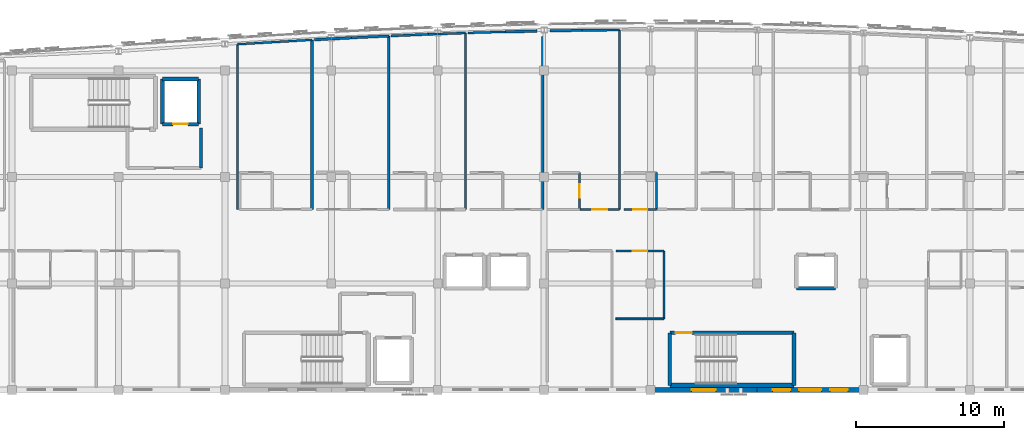
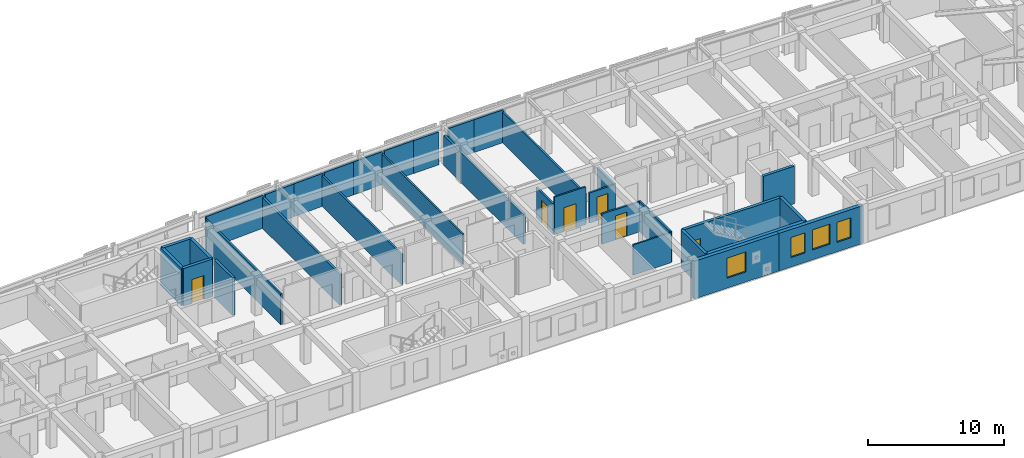
# One storey, part 34 of 41: 34 walls, 6 doors, 4 windows, 10 openings.
"""IFC4 building model written with IfcOpenShell, lengths in metres."""

from ifc_helpers import new_model, si_unit, direction, frame, frame_2d, origin, place, context, subcontext, project, spatial, rectangle, extrude, material, layer, layer_set, type_object, element, fill, save


model = new_model("IFC4")

# Units and contexts
model_context = context("Model", 3, precision=1e-05, world=origin(), true_north=direction((0.0, 1.0)))
body_context = subcontext(model_context, "Body", "Model", "MODEL_VIEW")
ifc_project = project(units=[si_unit("LENGTHUNIT", "METRE"), si_unit("AREAUNIT", "SQUARE_METRE"), si_unit("VOLUMEUNIT", "CUBIC_METRE"), si_unit("PLANEANGLEUNIT", "RADIAN"), si_unit("MASSUNIT", "GRAM", prefix="KILO")], contexts=[model_context])

# Site, building, storey
site_placement = place(None, origin())
site = spatial("IfcSite", under=ifc_project, at=site_placement, CompositionType="ELEMENT")
building_placement = place(site_placement, origin())
building = spatial("IfcBuilding", under=site, at=building_placement, Name="Carrowvane Square Congress Hotel", CompositionType="ELEMENT")
storey_placement = place(building_placement, frame((0.0, 0.0, 37.199951171875)))
storey = spatial("IfcBuildingStorey", under=building, at=storey_placement, Name="L09", CompositionType="ELEMENT", Elevation=37.199951171875)

# Wall, openings, windows
ifc_material_1 = material(Name="Glazed terracotta rainscreen", Category="masonry")
ifc_layer_1 = layer(ifc_material_1, 0.330078125)
ifc_layer_set_1 = layer_set([ifc_layer_1], Name="Glazed terracotta rainscreen")
wall_type_1 = type_object("IfcWallType", Name="WL-EXT-TC330", PredefinedType="STANDARD", material=ifc_layer_set_1)
wall_1_placement = place(storey_placement, frame((112.39990234375, 91.800048828125, 0.0), z_axis=(0.0, 0.0, 1.0), x_axis=(-1.0, 0.0, 0.0)))
wall_1 = element("IfcWall", 1, at=wall_1_placement, inside=storey, type_object=wall_type_1, Name="L09 exterior facade wall 569", PredefinedType="STANDARD", context=body_context, shape_type="SweptSolid", body=[
    extrude(rectangle(XDim=7.199951171875, YDim=0.330078125, at=frame_2d((3.60009765625, 0.0))), origin(), (0.0, 0.0, 1.0), 3.380126953125),
])
opening_1_placement = place(wall_1_placement, frame((2.85009765625, 0.0, 0.89990234375)))
opening_1 = element("IfcOpeningElement", 2, at=opening_1_placement, cuts=wall_1, Name="Opening W-03", PredefinedType="OPENING", context=body_context, shape_type="SweptSolid", body=[
    extrude(rectangle(XDim=1.5, YDim=1.800048828125, at=frame_2d((0.75, 0.89990234375))), frame((0.0, 0.175048828125, 0.0), z_axis=(0.0, -1.0, 0.0), x_axis=(1.0, 0.0, 0.0)), (0.0, 0.0, 1.0), 0.35009765625),
])
opening_2_placement = place(wall_1_placement, frame((1.050048828125, 0.0, 0.85009765625)))
opening_2 = element("IfcOpeningElement", 3, at=opening_2_placement, cuts=wall_1, Name="Opening W-01", PredefinedType="OPENING", context=body_context, shape_type="SweptSolid", body=[
    extrude(rectangle(XDim=1.199951171875, YDim=1.800048828125, at=frame_2d((0.60009765625, 0.89990234375))), frame((0.0, 0.175048828125, 0.0), z_axis=(0.0, -1.0, 0.0), x_axis=(1.0, 0.0, 0.0)), (0.0, 0.0, 1.0), 0.35009765625),
])
opening_3_placement = place(wall_1_placement, frame((4.949951171875, 0.0, 0.85009765625)))
opening_3 = element("IfcOpeningElement", 4, at=opening_3_placement, cuts=wall_1, Name="Opening W-01", PredefinedType="OPENING", context=body_context, shape_type="SweptSolid", body=[
    extrude(rectangle(XDim=1.199951171875, YDim=1.800048828125, at=frame_2d((0.60009765625, 0.89990234375))), frame((0.0, 0.175048828125, 0.0), z_axis=(0.0, -1.0, 0.0), x_axis=(1.0, 0.0, 0.0)), (0.0, 0.0, 1.0), 0.35009765625),
])
ifc_material_2 = material(Name="Double-glazed low-E glass", Category="glass")
window_type_1 = type_object("IfcWindowType", Name="WIN-01", PartitioningType="SINGLE_PANEL", PredefinedType="WINDOW", material=ifc_material_2)
window_1_placement = place(opening_2_placement, origin())
window_1 = element("IfcWindow", 5, at=window_1_placement, inside=storey, type_object=window_type_1, Name="L09 guest bedroom window 424", OverallHeight=1.800048828125, OverallWidth=1.199951171875, PartitioningType="SINGLE_PANEL", PredefinedType="WINDOW", context=body_context, shape_type="SweptSolid", body=[
    extrude(rectangle(XDim=1.199951171875, YDim=1.800048828125, at=frame_2d((0.60009765625, 0.89990234375))), frame((0.0, 0.030029296875, 0.0), z_axis=(0.0, -1.0, 0.0), x_axis=(1.0, 0.0, 0.0)), (0.0, 0.0, 1.0), 0.06005859375),
])
fill(opening_2, window_1)
window_2_placement = place(opening_3_placement, origin())
window_2 = element("IfcWindow", 6, at=window_2_placement, inside=storey, type_object=window_type_1, Name="L09 guest bedroom window 425", OverallHeight=1.800048828125, OverallWidth=1.199951171875, PartitioningType="SINGLE_PANEL", PredefinedType="WINDOW", context=body_context, shape_type="SweptSolid", body=[
    extrude(rectangle(XDim=1.199951171875, YDim=1.800048828125, at=frame_2d((0.60009765625, 0.89990234375))), frame((0.0, 0.030029296875, 0.0), z_axis=(0.0, -1.0, 0.0), x_axis=(1.0, 0.0, 0.0)), (0.0, 0.0, 1.0), 0.06005859375),
])
fill(opening_3, window_2)
ifc_material_3 = material(Name="Double-glazed low-E glass", Category="glass")
window_type_2 = type_object("IfcWindowType", Name="WIN-03", PartitioningType="SINGLE_PANEL", PredefinedType="WINDOW", material=ifc_material_3)
window_3_placement = place(opening_1_placement, origin())
window_3 = element("IfcWindow", 7, at=window_3_placement, inside=storey, type_object=window_type_2, Name="L09 facade window 423", OverallHeight=1.800048828125, OverallWidth=1.5, PartitioningType="SINGLE_PANEL", PredefinedType="WINDOW", context=body_context, shape_type="SweptSolid", body=[
    extrude(rectangle(XDim=1.5, YDim=1.800048828125, at=frame_2d((0.75, 0.89990234375))), frame((0.0, 0.030029296875, 0.0), z_axis=(0.0, -1.0, 0.0), x_axis=(1.0, 0.0, 0.0)), (0.0, 0.0, 1.0), 0.06005859375),
])
fill(opening_1, window_3)

# Wall, opening, window
wall_2_placement = place(storey_placement, frame((105.199951171875, 91.800048828125, 0.0), z_axis=(0.0, 0.0, 1.0), x_axis=(-1.0, 0.0, 0.0)))
wall_2 = element("IfcWall", 8, at=wall_2_placement, inside=storey, type_object=wall_type_1, Name="L09 exterior facade wall 570", PredefinedType="STANDARD", context=body_context, shape_type="SweptSolid", body=[
    extrude(rectangle(XDim=7.199951171875, YDim=0.330078125, at=frame_2d((3.60009765625, 0.0))), origin(), (0.0, 0.0, 1.0), 3.380126953125),
])
opening_4_placement = place(wall_2_placement, frame((2.77490234375, 0.0, 0.89990234375)))
opening_4 = element("IfcOpeningElement", 9, at=opening_4_placement, cuts=wall_2, Name="Opening W-04", PredefinedType="OPENING", context=body_context, shape_type="SweptSolid", body=[
    extrude(rectangle(XDim=1.64990234375, YDim=1.800048828125, at=frame_2d((0.824951171875, 0.89990234375))), frame((0.0, 0.175048828125, 0.0), z_axis=(0.0, -1.0, 0.0), x_axis=(1.0, 0.0, 0.0)), (0.0, 0.0, 1.0), 0.35009765625),
])
ifc_material_4 = material(Name="Double-glazed low-E glass", Category="glass")
window_type_3 = type_object("IfcWindowType", Name="WIN-04", PartitioningType="SINGLE_PANEL", PredefinedType="WINDOW", material=ifc_material_4)
window_4_placement = place(opening_4_placement, origin())
window_4 = element("IfcWindow", 10, at=window_4_placement, inside=storey, type_object=window_type_3, Name="L09 facade window 426", OverallHeight=1.800048828125, OverallWidth=1.64990234375, PartitioningType="SINGLE_PANEL", PredefinedType="WINDOW", context=body_context, shape_type="SweptSolid", body=[
    extrude(rectangle(XDim=1.64990234375, YDim=1.800048828125, at=frame_2d((0.824951171875, 0.89990234375))), frame((0.0, 0.030029296875, 0.0), z_axis=(0.0, -1.0, 0.0), x_axis=(1.0, 0.0, 0.0)), (0.0, 0.0, 1.0), 0.06005859375),
])
fill(opening_4, window_4)

# Walls
ifc_material_5 = material(Name="Acoustic gypsum board", Category="gypsum")
ifc_layer_2 = layer(ifc_material_5, 0.155029296875)
ifc_layer_set_2 = layer_set([ifc_layer_2], Name="Acoustic gypsum board")
wall_type_2 = type_object("IfcWallType", Name="WL-FIR-155", PredefinedType="PARTITIONING", material=ifc_layer_set_2)
wall_3_placement = place(storey_placement, frame((80.2900390625, 115.736328125, 0.0), z_axis=(0.0, 0.0, 1.0), x_axis=(0.0, -1.0, 0.0)))
element("IfcWall", 11, at=wall_3_placement, inside=storey, type_object=wall_type_2, Name="L09 Parkview Guest Bedroom 0912 partition", PredefinedType="PARTITIONING", context=body_context, shape_type="SweptSolid", body=[
    extrude(rectangle(XDim=11.736328125, YDim=0.155029296875, at=frame_2d((5.8681640625, 0.0))), origin(), (0.0, 0.0, 1.0), 2.76513671875),
])
wall_4_placement = place(storey_placement, frame((80.449951171875, 115.743408203125, 0.0), z_axis=(0.0, 0.0, 1.0), x_axis=(0.9991293785, 0.041719120532, 0.0)))
element("IfcWall", 12, at=wall_4_placement, inside=storey, type_object=wall_type_2, Name="L09 Parkview Guest Bedroom 0913 partition", PredefinedType="PARTITIONING", context=body_context, shape_type="SweptSolid", body=[
    extrude(rectangle(XDim=2.522216796875, YDim=0.155029296875, at=frame_2d((1.26123046875, 0.0))), origin(), (0.0, 0.0, 1.0), 2.95556640625),
])
wall_5_placement = place(storey_placement, frame((93.3701171875, 116.120361328125, 0.0), z_axis=(0.0, 0.0, 1.0), x_axis=(0.999959405621, 0.009010388986, 0.0)))
element("IfcWall", 13, at=wall_5_placement, inside=storey, type_object=wall_type_2, Name="L09 Parkview Guest Bedroom 0915 partition", PredefinedType="PARTITIONING", context=body_context, shape_type="SweptSolid", body=[
    extrude(rectangle(XDim=2.519775390625, YDim=0.155029296875, at=frame_2d((1.259765625, 0.0))), origin(), (0.0, 0.0, 1.0), 2.95556640625),
])
wall_6_placement = place(storey_placement, frame((98.39990234375, 106.5, 0.0), z_axis=(0.0, 0.0, 1.0), x_axis=(0.0, -1.0, 0.0)))
element("IfcWall", 14, at=wall_6_placement, inside=storey, type_object=wall_type_2, Name="L09 En-suite Bathroom 0916 partition", PredefinedType="PARTITIONING", context=body_context, shape_type="SweptSolid", body=[
    extrude(rectangle(XDim=2.5, YDim=0.155029296875, at=frame_2d((1.25, 0.0))), origin(), (0.0, 0.0, 1.0), 2.76513671875),
])
ifc_material_6 = material(Name="Acoustic gypsum board", Category="gypsum")
ifc_layer_3 = layer(ifc_material_6, 0.169921875)
ifc_layer_set_3 = layer_set([ifc_layer_3], Name="Acoustic gypsum board")
wall_type_3 = type_object("IfcWallType", Name="WL-FIR-170", PredefinedType="PARTITIONING", material=ifc_layer_set_3)
wall_7_placement = place(storey_placement, frame((77.77001953125, 115.61669921875, 0.0), z_axis=(0.0, 0.0, 1.0), x_axis=(0.998875132968, 0.047418021232, 0.0)))
element("IfcWall", 15, at=wall_7_placement, inside=storey, type_object=wall_type_3, Name="L09 Parkview Guest Bedroom 0912 partition", PredefinedType="PARTITIONING", context=body_context, shape_type="SweptSolid", body=[
    extrude(rectangle(XDim=2.52294921875, YDim=0.169921875, at=frame_2d((1.261474609375, 0.0))), origin(), (0.0, 0.0, 1.0), 2.95556640625),
])
wall_8_placement = place(storey_placement, frame((90.68994140625, 115.71728515625, 0.0), z_axis=(0.0, 0.0, 1.0), x_axis=(0.0, -1.0, 0.0)))
element("IfcWall", 16, at=wall_8_placement, inside=storey, type_object=wall_type_3, Name="L09 Parkview Guest Bedroom 0914 partition", PredefinedType="PARTITIONING", context=body_context, shape_type="SweptSolid", body=[
    extrude(rectangle(XDim=11.71728515625, YDim=0.169921875, at=frame_2d((5.858642578125, 0.0))), origin(), (0.0, 0.0, 1.0), 2.715087890625),
])
wall_9_placement = place(storey_placement, frame((91.2099609375, 116.086181640625, 0.0), z_axis=(0.0, 0.0, 1.0), x_axis=(0.999874843241, 0.015820804482, 0.0)))
element("IfcWall", 17, at=wall_9_placement, inside=storey, type_object=wall_type_3, Name="L09 Parkview Guest Bedroom 0915 partition", PredefinedType="PARTITIONING", context=body_context, shape_type="SweptSolid", body=[
    extrude(rectangle(XDim=2.160400390625, YDim=0.169921875, at=frame_2d((1.080078125, 0.0))), origin(), (0.0, 0.0, 1.0), 2.95556640625),
])
ifc_material_7 = material(Name="Acoustic gypsum board", Category="gypsum")
ifc_layer_4 = layer(ifc_material_7, 0.18505859375)
ifc_layer_set_4 = layer_set([ifc_layer_4], Name="Acoustic gypsum board")
wall_type_4 = type_object("IfcWallType", Name="WL-FIR-185", PredefinedType="PARTITIONING", material=ifc_layer_set_4)
wall_10_placement = place(storey_placement, frame((75.090087890625, 115.4755859375, 0.0), z_axis=(0.0, 0.0, 1.0), x_axis=(0.0, -1.0, 0.0)))
element("IfcWall", 18, at=wall_10_placement, inside=storey, type_object=wall_type_4, Name="L09 Parkview Guest Bedroom 0911 partition", PredefinedType="PARTITIONING", context=body_context, shape_type="SweptSolid", body=[
    extrude(rectangle(XDim=11.4755859375, YDim=0.18505859375, at=frame_2d((5.73779296875, 0.0))), origin(), (0.0, 0.0, 1.0), 2.76513671875),
])
wall_11_placement = place(storey_placement, frame((75.25, 115.484375, 0.0), z_axis=(0.0, 0.0, 1.0), x_axis=(0.998624236073, 0.052436963374, 0.0)))
element("IfcWall", 19, at=wall_11_placement, inside=storey, type_object=wall_type_4, Name="L09 Parkview Guest Bedroom 0912 partition", PredefinedType="PARTITIONING", context=body_context, shape_type="SweptSolid", body=[
    extrude(rectangle(XDim=2.5234375, YDim=0.18505859375, at=frame_2d((1.26171875, 0.0))), origin(), (0.0, 0.0, 1.0), 2.95556640625),
])
wall_12_placement = place(storey_placement, frame((88.169921875, 116.01904296875, 0.0), z_axis=(0.0, 0.0, 1.0), x_axis=(0.999734315018, 0.023049932218, 0.0)))
element("IfcWall", 20, at=wall_12_placement, inside=storey, type_object=wall_type_4, Name="L09 Parkview Guest Bedroom 0914 partition", PredefinedType="PARTITIONING", context=body_context, shape_type="SweptSolid", body=[
    extrude(rectangle(XDim=2.16064453125, YDim=0.18505859375, at=frame_2d((1.080322265625, 0.0))), origin(), (0.0, 0.0, 1.0), 2.95556640625),
])
ifc_material_8 = material(Name="Acoustic gypsum board", Category="gypsum")
ifc_layer_5 = layer(ifc_material_8, 0.205078125)
ifc_layer_set_5 = layer_set([ifc_layer_5], Name="Acoustic gypsum board")
wall_type_5 = type_object("IfcWallType", Name="WL-FIR-205", PredefinedType="PARTITIONING", material=ifc_layer_set_5)
wall_13_placement = place(storey_placement, frame((67.60009765625, 106.800048828125, 0.0), z_axis=(0.0, 0.0, 1.0), x_axis=(0.0, 1.0, 0.0)))
element("IfcWall", 21, at=wall_13_placement, inside=storey, type_object=wall_type_5, Name="L09 Firefighting Lobby C1 wall east", PredefinedType="PARTITIONING", context=body_context, shape_type="SweptSolid", body=[
    extrude(rectangle(XDim=2.699951171875, YDim=0.205078125, at=frame_2d((1.35009765625, 0.0))), origin(), (0.0, 0.0, 1.0), 3.380126953125),
])
ifc_material_9 = material(Name="Acoustic gypsum board", Category="gypsum")
ifc_layer_6 = layer(ifc_material_9, 0.1279296875)
ifc_layer_set_6 = layer_set([ifc_layer_6], Name="Acoustic gypsum board")
wall_type_6 = type_object("IfcWallType", Name="WL-PRT-128", PredefinedType="PARTITIONING", material=ifc_layer_set_6)
wall_14_placement = place(storey_placement, frame((98.89990234375, 96.60009765625, 0.0), z_axis=(0.0, 0.0, 1.0), x_axis=(-1.0, 0.0, 0.0)))
element("IfcWall", 22, at=wall_14_placement, inside=storey, type_object=wall_type_6, Name="L09 L09 Accessible Guest WC partition", PredefinedType="PARTITIONING", context=body_context, shape_type="SweptSolid", body=[
    extrude(rectangle(XDim=3.25, YDim=0.1279296875, at=frame_2d((1.625, 0.0))), origin(), (0.0, 0.0, 1.0), 2.715087890625),
])
ifc_material_10 = material(Name="Acoustic gypsum board", Category="gypsum")
ifc_layer_7 = layer(ifc_material_10, 0.137939453125)
ifc_layer_set_7 = layer_set([ifc_layer_7], Name="Acoustic gypsum board")
wall_type_7 = type_object("IfcWallType", Name="WL-PRT-138", PredefinedType="PARTITIONING", material=ifc_layer_set_7)
wall_15_placement = place(storey_placement, frame((98.89990234375, 101.199951171875, 0.0), z_axis=(0.0, 0.0, 1.0), x_axis=(0.0, -1.0, 0.0)))
element("IfcWall", 23, at=wall_15_placement, inside=storey, type_object=wall_type_7, Name="L09 L09 Accessible Guest WC partition", PredefinedType="PARTITIONING", context=body_context, shape_type="SweptSolid", body=[
    extrude(rectangle(XDim=4.599853515625, YDim=0.137939453125, at=frame_2d((2.2998046875, 0.0))), origin(), (0.0, 0.0, 1.0), 2.76513671875),
])
wall_16_placement = place(storey_placement, frame((70.050048828125, 115.177490234375, 0.0), z_axis=(0.0, 0.0, 1.0), x_axis=(0.998255479729, 0.059042333886, 0.0)))
element("IfcWall", 24, at=wall_16_placement, inside=storey, type_object=wall_type_7, Name="L09 Parkview Guest Bedroom 0911 partition", PredefinedType="PARTITIONING", context=body_context, shape_type="SweptSolid", body=[
    extrude(rectangle(XDim=5.048828125, YDim=0.137939453125, at=frame_2d((2.5244140625, 0.0))), origin(), (0.0, 0.0, 1.0), 2.95556640625),
])
wall_17_placement = place(storey_placement, frame((85.489990234375, 115.939208984375, 0.0), z_axis=(0.0, 0.0, 1.0), x_axis=(0.0, -1.0, 0.0)))
element("IfcWall", 25, at=wall_17_placement, inside=storey, type_object=wall_type_7, Name="L09 Parkview Guest Bedroom 0913 partition", PredefinedType="PARTITIONING", context=body_context, shape_type="SweptSolid", body=[
    extrude(rectangle(XDim=11.939208984375, YDim=0.137939453125, at=frame_2d((5.9697265625, 0.0))), origin(), (0.0, 0.0, 1.0), 2.76513671875),
])
wall_18_placement = place(storey_placement, frame((85.64990234375, 115.94482421875, 0.0), z_axis=(0.0, 0.0, 1.0), x_axis=(0.9995665819, 0.029438891775, 0.0)))
element("IfcWall", 26, at=wall_18_placement, inside=storey, type_object=wall_type_7, Name="L09 Parkview Guest Bedroom 0914 partition", PredefinedType="PARTITIONING", context=body_context, shape_type="SweptSolid", body=[
    extrude(rectangle(XDim=2.52099609375, YDim=0.137939453125, at=frame_2d((1.260498046875, 0.0))), origin(), (0.0, 0.0, 1.0), 2.95556640625),
])

# Wall, opening, door
wall_19_placement = place(storey_placement, frame((93.199951171875, 106.5, 0.0), z_axis=(0.0, 0.0, 1.0), x_axis=(0.0, -1.0, 0.0)))
wall_19 = element("IfcWall", 27, at=wall_19_placement, inside=storey, type_object=wall_type_7, Name="L09 En-suite Bathroom 0915 partition", PredefinedType="PARTITIONING", context=body_context, shape_type="SweptSolid", body=[
    extrude(rectangle(XDim=2.5, YDim=0.137939453125, at=frame_2d((1.25, 0.0))), origin(), (0.0, 0.0, 1.0), 2.76513671875),
])
opening_5_placement = place(wall_19_placement, frame((0.800048828125, 0.0, 0.0)))
opening_5 = element("IfcOpeningElement", 28, at=opening_5_placement, cuts=wall_19, Name="Opening ID-02", PredefinedType="OPENING", context=body_context, shape_type="SweptSolid", body=[
    extrude(rectangle(XDim=0.89990234375, YDim=2.080078125, at=frame_2d((0.449951171875, 1.0400390625))), frame((0.0, 0.078857421875, 0.0), z_axis=(0.0, -1.0, 0.0), x_axis=(1.0, 0.0, 0.0)), (0.0, 0.0, 1.0), 0.157958984375),
])
ifc_material_11 = material(Name="European oak timber", Category="wood")
door_type_1 = type_object("IfcDoorType", Name="DR-INT-0900x2080", OperationType="NOTDEFINED", PredefinedType="DOOR", material=ifc_material_11)
door_1_placement = place(opening_5_placement, origin())
door_1 = element("IfcDoor", 29, at=door_1_placement, inside=storey, type_object=door_type_1, Name="L09 En-suite Bathroom 0915 door", OperationType="SINGLE_SWING_LEFT", OverallHeight=2.080078125, OverallWidth=0.89990234375, PredefinedType="DOOR", context=body_context, shape_type="SweptSolid", body=[
    extrude(rectangle(XDim=0.89990234375, YDim=2.080078125, at=frame_2d((0.449951171875, 1.0400390625))), frame((0.0, 0.02490234375, 0.0), z_axis=(0.0, -1.0, 0.0), x_axis=(1.0, 0.0, 0.0)), (0.0, 0.0, 1.0), 0.050048828125),
])
fill(opening_5, door_1)

wall_20_placement = place(storey_placement, frame((95.889892578125, 104.0, 0.0), z_axis=(0.0, 0.0, 1.0), x_axis=(-1.0, 0.0, 0.0)))
wall_20 = element("IfcWall", 30, at=wall_20_placement, inside=storey, type_object=wall_type_7, Name="L09 Parkview Guest Bedroom 0915 partition", PredefinedType="PARTITIONING", context=body_context, shape_type="SweptSolid", body=[
    extrude(rectangle(XDim=2.679931640625, YDim=0.137939453125, at=frame_2d((1.33984375, 0.0))), origin(), (0.0, 0.0, 1.0), 3.380126953125),
])
opening_6_placement = place(wall_20_placement, frame((0.830078125, 0.0, 0.0)))
opening_6 = element("IfcOpeningElement", 31, at=opening_6_placement, cuts=wall_20, Name="Opening FD-08", PredefinedType="OPENING", context=body_context, shape_type="SweptSolid", body=[
    extrude(rectangle(XDim=1.02001953125, YDim=2.14990234375, at=frame_2d((0.510009765625, 1.074951171875))), frame((0.0, 0.078857421875, 0.0), z_axis=(0.0, -1.0, 0.0), x_axis=(1.0, 0.0, 0.0)), (0.0, 0.0, 1.0), 0.157958984375),
])
ifc_material_12 = material(Name="European oak timber", Category="wood")
door_type_2 = type_object("IfcDoorType", Name="DR-FD30-1020x2150", OperationType="NOTDEFINED", PredefinedType="DOOR", material=ifc_material_12)
door_2_placement = place(opening_6_placement, origin())
door_2 = element("IfcDoor", 32, at=door_2_placement, inside=storey, type_object=door_type_2, Name="L09 Parkview Guest Bedroom 0915 entrance door", OperationType="SINGLE_SWING_RIGHT", OverallHeight=2.14990234375, OverallWidth=1.02001953125, PredefinedType="DOOR", context=body_context, shape_type="SweptSolid", body=[
    extrude(rectangle(XDim=1.02001953125, YDim=2.14990234375, at=frame_2d((0.510009765625, 1.074951171875))), frame((0.0, 0.02490234375, 0.0), z_axis=(0.0, -1.0, 0.0), x_axis=(1.0, 0.0, 0.0)), (0.0, 0.0, 1.0), 0.050048828125),
])
fill(opening_6, door_2)

ifc_material_13 = material(Name="Acoustic gypsum board", Category="gypsum")
ifc_layer_8 = layer(ifc_material_13, 0.14794921875)
ifc_layer_set_8 = layer_set([ifc_layer_8], Name="Acoustic gypsum board")
wall_type_8 = type_object("IfcWallType", Name="WL-PRT-148", PredefinedType="PARTITIONING", material=ifc_layer_set_8)
wall_21_placement = place(storey_placement, frame((95.64990234375, 101.199951171875, 0.0), z_axis=(0.0, 0.0, 1.0), x_axis=(1.0, 0.0, 0.0)))
wall_21 = element("IfcWall", 33, at=wall_21_placement, inside=storey, type_object=wall_type_8, Name="L09 L09 Accessible Guest WC partition", PredefinedType="PARTITIONING", context=body_context, shape_type="SweptSolid", body=[
    extrude(rectangle(XDim=3.25, YDim=0.14794921875, at=frame_2d((1.625, 0.0))), origin(), (0.0, 0.0, 1.0), 2.715087890625),
])
opening_7_placement = place(wall_21_placement, frame((1.139892578125, 0.0, 0.0)))
opening_7 = element("IfcOpeningElement", 34, at=opening_7_placement, cuts=wall_21, Name="Opening ID-19", PredefinedType="OPENING", context=body_context, shape_type="SweptSolid", body=[
    extrude(rectangle(XDim=0.969970703125, YDim=2.159912109375, at=frame_2d((0.48486328125, 1.080078125))), frame((0.0, 0.083984375, 0.0), z_axis=(0.0, -1.0, 0.0), x_axis=(1.0, 0.0, 0.0)), (0.0, 0.0, 1.0), 0.16796875),
])
ifc_material_14 = material(Name="European oak timber", Category="wood")
door_type_3 = type_object("IfcDoorType", Name="DR-INT-0970x2160", OperationType="NOTDEFINED", PredefinedType="DOOR", material=ifc_material_14)
door_3_placement = place(opening_7_placement, origin())
door_3 = element("IfcDoor", 35, at=door_3_placement, inside=storey, type_object=door_type_3, Name="L09 L09 Accessible Guest WC entrance door", OperationType="SINGLE_SWING_RIGHT", OverallHeight=2.159912109375, OverallWidth=0.969970703125, PredefinedType="DOOR", context=body_context, shape_type="SweptSolid", body=[
    extrude(rectangle(XDim=0.969970703125, YDim=2.159912109375, at=frame_2d((0.48486328125, 1.080078125))), frame((0.0, 0.02490234375, 0.0), z_axis=(0.0, -1.0, 0.0), x_axis=(1.0, 0.0, 0.0)), (0.0, 0.0, 1.0), 0.050048828125),
])
fill(opening_7, door_3)

# Walls
wall_22_placement = place(storey_placement, frame((70.050048828125, 104.0, 0.0), z_axis=(0.0, 0.0, 1.0), x_axis=(0.0, 1.0, 0.0)))
element("IfcWall", 36, at=wall_22_placement, inside=storey, type_object=wall_type_8, Name="L09 Parkview Guest Bedroom 0911 partition", PredefinedType="PARTITIONING", context=body_context, shape_type="SweptSolid", body=[
    extrude(rectangle(XDim=11.177490234375, YDim=0.14794921875, at=frame_2d((5.5888671875, 0.0))), origin(), (0.0, 0.0, 1.0), 2.76513671875),
])
wall_23_placement = place(storey_placement, frame((82.969970703125, 115.8486328125, 0.0), z_axis=(0.0, 0.0, 1.0), x_axis=(0.99935468825, 0.035919452562, 0.0)))
element("IfcWall", 37, at=wall_23_placement, inside=storey, type_object=wall_type_8, Name="L09 Parkview Guest Bedroom 0913 partition", PredefinedType="PARTITIONING", context=body_context, shape_type="SweptSolid", body=[
    extrude(rectangle(XDim=2.521728515625, YDim=0.14794921875, at=frame_2d((1.2607421875, 0.0))), origin(), (0.0, 0.0, 1.0), 2.95556640625),
])
wall_24_placement = place(storey_placement, frame((95.889892578125, 116.14306640625, 0.0), z_axis=(0.0, 0.0, 1.0), x_axis=(0.0, -1.0, 0.0)))
element("IfcWall", 38, at=wall_24_placement, inside=storey, type_object=wall_type_8, Name="L09 Parkview Guest Bedroom 0915 partition", PredefinedType="PARTITIONING", context=body_context, shape_type="SweptSolid", body=[
    extrude(rectangle(XDim=12.14306640625, YDim=0.14794921875, at=frame_2d((6.071533203125, 0.0))), origin(), (0.0, 0.0, 1.0), 2.76513671875),
])

# Wall, opening, door
wall_25_placement = place(storey_placement, frame((98.39990234375, 104.0, 0.0), z_axis=(0.0, 0.0, 1.0), x_axis=(-1.0, 0.0, 0.0)))
wall_25 = element("IfcWall", 39, at=wall_25_placement, inside=storey, type_object=wall_type_8, Name="L09 En-suite Bathroom 0916 partition", PredefinedType="PARTITIONING", context=body_context, shape_type="SweptSolid", body=[
    extrude(rectangle(XDim=2.199951171875, YDim=0.14794921875, at=frame_2d((1.10009765625, 0.0))), origin(), (0.0, 0.0, 1.0), 2.715087890625),
])
opening_8_placement = place(wall_25_placement, frame((0.6298828125, 0.0, 0.0)))
opening_8 = element("IfcOpeningElement", 40, at=opening_8_placement, cuts=wall_25, Name="Opening ID-04", PredefinedType="OPENING", context=body_context, shape_type="SweptSolid", body=[
    extrude(rectangle(XDim=0.93994140625, YDim=2.1201171875, at=frame_2d((0.469970703125, 1.06005859375))), frame((0.0, 0.083984375, 0.0), z_axis=(0.0, -1.0, 0.0), x_axis=(1.0, 0.0, 0.0)), (0.0, 0.0, 1.0), 0.16796875),
])
ifc_material_15 = material(Name="European oak timber", Category="wood")
door_type_4 = type_object("IfcDoorType", Name="DR-INT-0940x2120", OperationType="NOTDEFINED", PredefinedType="DOOR", material=ifc_material_15)
door_4_placement = place(opening_8_placement, origin())
door_4 = element("IfcDoor", 41, at=door_4_placement, inside=storey, type_object=door_type_4, Name="L09 En-suite Bathroom 0916 door", OperationType="SINGLE_SWING_LEFT", OverallHeight=2.1201171875, OverallWidth=0.93994140625, PredefinedType="DOOR", context=body_context, shape_type="SweptSolid", body=[
    extrude(rectangle(XDim=0.93994140625, YDim=2.1201171875, at=frame_2d((0.469970703125, 1.06005859375))), frame((0.0, 0.02490234375, 0.0), z_axis=(0.0, -1.0, 0.0), x_axis=(1.0, 0.0, 0.0)), (0.0, 0.0, 1.0), 0.050048828125),
])
fill(opening_8, door_4)

# Wall
ifc_material_16 = material(Name="Concrete C40/50", Category="concrete")
ifc_layer_9 = layer(ifc_material_16, 0.22509765625)
ifc_layer_set_9 = layer_set([ifc_layer_9], Name="Concrete C40/50")
wall_type_9 = type_object("IfcWallType", Name="WL-SHR-225", PredefinedType="SHEAR", material=ifc_layer_set_9)
wall_26_placement = place(storey_placement, frame((99.300048828125, 95.659912109375, 0.0), z_axis=(0.0, 0.0, 1.0), x_axis=(0.0, -1.0, 0.0)))
element("IfcWall", 42, at=wall_26_placement, inside=storey, type_object=wall_type_9, Name="L09 ST3 core wall west", PredefinedType="SHEAR", context=body_context, shape_type="SweptSolid", body=[
    extrude(rectangle(XDim=3.559814453125, YDim=0.22509765625, at=frame_2d((1.77978515625, 0.0))), origin(), (0.0, 0.0, 1.0), 3.380126953125),
])

# Wall, opening, door
ifc_material_17 = material(Name="Concrete C40/50", Category="concrete")
ifc_layer_10 = layer(ifc_material_17, 0.25)
ifc_layer_set_10 = layer_set([ifc_layer_10], Name="Concrete C40/50")
wall_type_10 = type_object("IfcWallType", Name="WL-SHR-250", PredefinedType="SHEAR", material=ifc_layer_set_10)
wall_27_placement = place(storey_placement, frame((107.699951171875, 95.659912109375, 0.0), z_axis=(0.0, 0.0, 1.0), x_axis=(-1.0, 0.0, 0.0)))
wall_27 = element("IfcWall", 43, at=wall_27_placement, inside=storey, type_object=wall_type_10, Name="L09 ST3 core wall north", PredefinedType="SHEAR", context=body_context, shape_type="SweptSolid", body=[
    extrude(rectangle(XDim=8.39990234375, YDim=0.25, at=frame_2d((4.199951171875, 0.0))), origin(), (0.0, 0.0, 1.0), 3.380126953125),
])
opening_9_placement = place(wall_27_placement, frame((6.909912109375, 0.0, 0.0)))
opening_9 = element("IfcOpeningElement", 44, at=opening_9_placement, cuts=wall_27, Name="Opening FD-01", PredefinedType="OPENING", context=body_context, shape_type="SweptSolid", body=[
    extrude(rectangle(XDim=1.10009765625, YDim=2.10009765625, at=frame_2d((0.550048828125, 1.050048828125))), frame((0.0, 0.135009765625, 0.0), z_axis=(0.0, -1.0, 0.0), x_axis=(1.0, 0.0, 0.0)), (0.0, 0.0, 1.0), 0.27001953125),
])
ifc_material_18 = material(Name="European oak timber", Category="wood")
door_type_5 = type_object("IfcDoorType", Name="DR-FD60-1100x2100", OperationType="NOTDEFINED", PredefinedType="DOOR", material=ifc_material_18)
door_5_placement = place(opening_9_placement, origin())
door_5 = element("IfcDoor", 45, at=door_5_placement, inside=storey, type_object=door_type_5, Name="L09 ST3 fire door", OperationType="SINGLE_SWING_LEFT", OverallHeight=2.10009765625, OverallWidth=1.10009765625, PredefinedType="DOOR", context=body_context, shape_type="SweptSolid", body=[
    extrude(rectangle(XDim=1.10009765625, YDim=2.10009765625, at=frame_2d((0.550048828125, 1.050048828125))), frame((0.0, 0.02490234375, 0.0), z_axis=(0.0, -1.0, 0.0), x_axis=(1.0, 0.0, 0.0)), (0.0, 0.0, 1.0), 0.050048828125),
])
fill(opening_9, door_5)

wall_28_placement = place(storey_placement, frame((64.97509765625, 109.77490234375, 0.0), z_axis=(0.0, 0.0, 1.0), x_axis=(1.0, 0.0, 0.0)))
wall_28 = element("IfcWall", 46, at=wall_28_placement, inside=storey, type_object=wall_type_10, Name="L09 FFL-1 shaft wall south", PredefinedType="SHEAR", context=body_context, shape_type="SweptSolid", body=[
    extrude(rectangle(XDim=2.449951171875, YDim=0.25, at=frame_2d((1.22509765625, 0.0))), origin(), (0.0, 0.0, 1.0), 3.380126953125),
])
opening_10_placement = place(wall_28_placement, frame((0.72509765625, 0.0, 0.0)))
opening_10 = element("IfcOpeningElement", 47, at=opening_10_placement, cuts=wall_28, Name="Opening LD-FFL-1", PredefinedType="OPENING", context=body_context, shape_type="SweptSolid", body=[
    extrude(rectangle(XDim=1.0, YDim=2.14990234375, at=frame_2d((0.5, 1.074951171875))), frame((0.0, 0.135009765625, 0.0), z_axis=(0.0, -1.0, 0.0), x_axis=(1.0, 0.0, 0.0)), (0.0, 0.0, 1.0), 0.27001953125),
])
ifc_material_19 = material(Name="Stainless steel 316", Category="steel")
door_type_6 = type_object("IfcDoorType", Name="DR-LD-1000x2150", OperationType="DOUBLE_DOOR_SLIDING", PredefinedType="DOOR", material=ifc_material_19)
door_6_placement = place(opening_10_placement, origin())
door_6 = element("IfcDoor", 48, at=door_6_placement, inside=storey, type_object=door_type_6, Name="L09 FFL-1 sliding lift landing door", OperationType="DOUBLE_DOOR_SLIDING", OverallHeight=2.14990234375, OverallWidth=1.0, PredefinedType="DOOR", context=body_context, shape_type="SweptSolid", body=[
    extrude(rectangle(XDim=1.0, YDim=2.14990234375, at=frame_2d((0.5, 1.074951171875))), frame((0.0, 0.02490234375, 0.0), z_axis=(0.0, -1.0, 0.0), x_axis=(1.0, 0.0, 0.0)), (0.0, 0.0, 1.0), 0.050048828125),
])
fill(opening_10, door_6)

# Walls
wall_29_placement = place(storey_placement, frame((67.425048828125, 109.77490234375, 0.0), z_axis=(0.0, 0.0, 1.0), x_axis=(0.0, 1.0, 0.0)))
element("IfcWall", 49, at=wall_29_placement, inside=storey, type_object=wall_type_10, Name="L09 FFL-1 shaft wall east", PredefinedType="SHEAR", context=body_context, shape_type="SweptSolid", body=[
    extrude(rectangle(XDim=3.050048828125, YDim=0.25, at=frame_2d((1.52490234375, 0.0))), origin(), (0.0, 0.0, 1.0), 3.380126953125),
])
wall_30_placement = place(storey_placement, frame((67.425048828125, 112.824951171875, 0.0), z_axis=(0.0, 0.0, 1.0), x_axis=(-1.0, 0.0, 0.0)))
element("IfcWall", 50, at=wall_30_placement, inside=storey, type_object=wall_type_10, Name="L09 FFL-1 shaft wall north", PredefinedType="SHEAR", context=body_context, shape_type="SweptSolid", body=[
    extrude(rectangle(XDim=2.449951171875, YDim=0.25, at=frame_2d((1.22509765625, 0.0))), origin(), (0.0, 0.0, 1.0), 3.380126953125),
])
wall_31_placement = place(storey_placement, frame((64.97509765625, 112.824951171875, 0.0), z_axis=(0.0, 0.0, 1.0), x_axis=(0.0, -1.0, 0.0)))
element("IfcWall", 51, at=wall_31_placement, inside=storey, type_object=wall_type_10, Name="L09 FFL-1 shaft wall west", PredefinedType="SHEAR", context=body_context, shape_type="SweptSolid", body=[
    extrude(rectangle(XDim=3.050048828125, YDim=0.25, at=frame_2d((1.52490234375, 0.0))), origin(), (0.0, 0.0, 1.0), 3.380126953125),
])
wall_32_placement = place(storey_placement, frame((107.875, 98.675048828125, 0.0), z_axis=(0.0, 0.0, 1.0), x_axis=(1.0, 0.0, 0.0)))
element("IfcWall", 52, at=wall_32_placement, inside=storey, type_object=wall_type_10, Name="L09 HL-3 shaft wall south", PredefinedType="SHEAR", context=body_context, shape_type="SweptSolid", body=[
    extrude(rectangle(XDim=2.64990234375, YDim=0.25, at=frame_2d((1.324951171875, 0.0))), origin(), (0.0, 0.0, 1.0), 3.380126953125),
])
ifc_material_20 = material(Name="Concrete C40/50", Category="concrete")
ifc_layer_11 = layer(ifc_material_20, 0.27490234375)
ifc_layer_set_11 = layer_set([ifc_layer_11], Name="Concrete C40/50")
wall_type_11 = type_object("IfcWallType", Name="WL-SHR-275", PredefinedType="SHEAR", material=ifc_layer_set_11)
wall_33_placement = place(storey_placement, frame((107.699951171875, 92.10009765625, 0.0), z_axis=(0.0, 0.0, 1.0), x_axis=(0.0, 1.0, 0.0)))
element("IfcWall", 53, at=wall_33_placement, inside=storey, type_object=wall_type_11, Name="L09 ST3 core wall east", PredefinedType="SHEAR", context=body_context, shape_type="SweptSolid", body=[
    extrude(rectangle(XDim=3.559814453125, YDim=0.27490234375, at=frame_2d((1.77978515625, 0.0))), origin(), (0.0, 0.0, 1.0), 3.380126953125),
])
ifc_material_21 = material(Name="Concrete C40/50", Category="concrete")
ifc_layer_12 = layer(ifc_material_21, 0.300048828125)
ifc_layer_set_12 = layer_set([ifc_layer_12], Name="Concrete C40/50")
wall_type_12 = type_object("IfcWallType", Name="WL-SHR-300", PredefinedType="SHEAR", material=ifc_layer_set_12)
wall_34_placement = place(storey_placement, frame((99.300048828125, 92.10009765625, 0.0), z_axis=(0.0, 0.0, 1.0), x_axis=(1.0, 0.0, 0.0)))
element("IfcWall", 54, at=wall_34_placement, inside=storey, type_object=wall_type_12, Name="L09 ST3 core wall south", PredefinedType="SHEAR", context=body_context, shape_type="SweptSolid", body=[
    extrude(rectangle(XDim=8.39990234375, YDim=0.300048828125, at=frame_2d((4.199951171875, 0.0))), origin(), (0.0, 0.0, 1.0), 3.380126953125),
])

save(model, "model.ifc")
